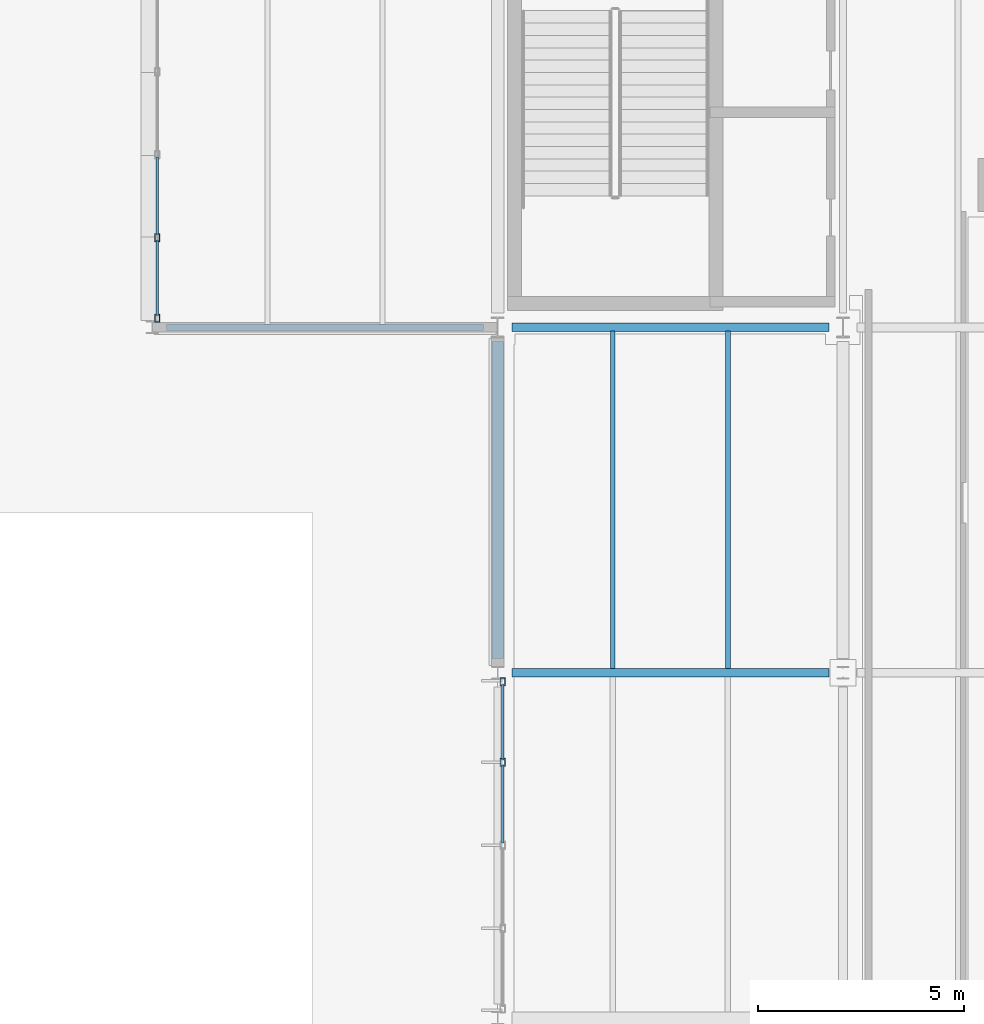
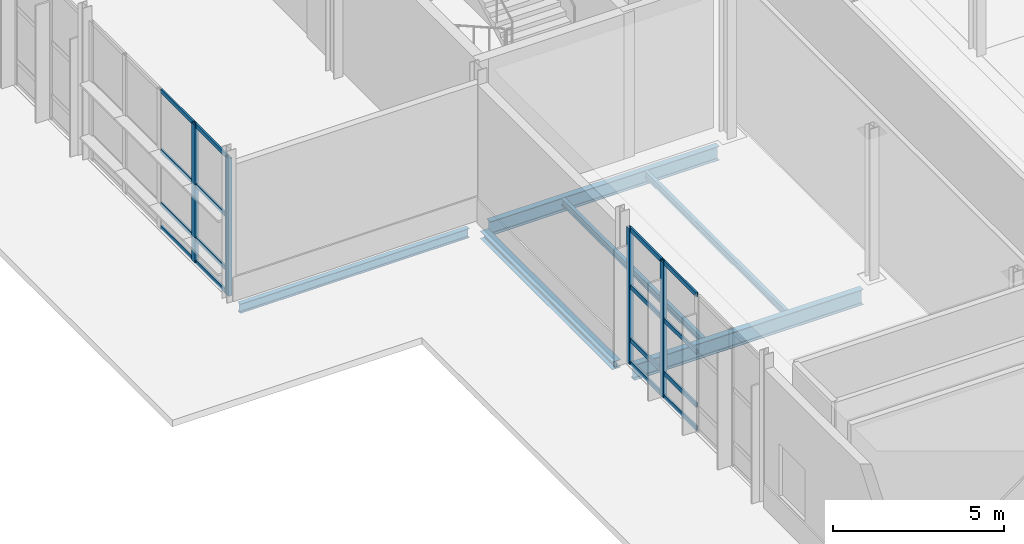
# One storey, part 32 of 124: 20 members, 6 beams, 2 elements without a shape of their own.
"""IFC4 building model written with IfcOpenShell, lengths in metres."""

from ifc_helpers import new_model, si_unit, direction, frame, origin, origin_2d, place, context, subcontext, project, spatial, hollow_rectangle, i_section, extrude, material, material_profile, profile_set, type_object, element, aggregate, save


model = new_model("IFC4")

# Units and contexts
model_context = context("Model", 3, precision=1e-05, world=origin(), true_north=direction((0.0, 1.0)))
body_context = subcontext(model_context, "Body", "Model", "MODEL_VIEW")
ifc_project = project(units=[si_unit("LENGTHUNIT", "METRE"), si_unit("AREAUNIT", "SQUARE_METRE"), si_unit("VOLUMEUNIT", "CUBIC_METRE"), si_unit("PLANEANGLEUNIT", "RADIAN"), si_unit("MASSUNIT", "GRAM", prefix="KILO")], contexts=[model_context])

# Site, building, storey
site_placement = place(None, origin())
site = spatial("IfcSite", under=ifc_project, at=site_placement, CompositionType="ELEMENT")
building_placement = place(site_placement, origin())
building = spatial("IfcBuilding", under=site, at=building_placement, Name="Mersafa Astral City Hall", CompositionType="ELEMENT")
storey_placement = place(building_placement, origin())
storey = spatial("IfcBuildingStorey", under=building, at=storey_placement, Name="L00", CompositionType="ELEMENT", Elevation=0.0)

# Curtain wall, members
ifc_material_1 = material(Name="Anodised bronze aluminium framing", Category="aluminium")
curtain_wall_type_1 = type_object("IfcCurtainWallType", Name="ENV-CW-2", PredefinedType="USERDEFINED", material=ifc_material_1)
curtain_wall_1_placement = place(storey_placement, origin())
curtain_wall_1 = element("IfcCurtainWall", 1, at=curtain_wall_1_placement, inside=storey, type_object=curtain_wall_type_1, Name="L00 Unitised solar curtain wall 37", ObjectType="UNITISED CURTAIN WALL", PredefinedType="USERDEFINED")
ifc_material_profile_1 = material_profile(ifc_material_1, hollow_rectangle(XDim=0.1201171875, YDim=0.199951171875, WallThickness=0.008056640625, at=origin_2d()), Name="RHS 120x200x8")
ifc_profile_set_1 = profile_set([ifc_material_profile_1], Name="Anodised bronze aluminium framing")
member_type_1 = type_object("IfcMemberType", Name="ENV-CW-MUL-2", PredefinedType="MULLION", material=ifc_profile_set_1)
member_1_placement = place(storey_placement, frame((0.1201171875, 77.781005859375, -0.001953125), z_axis=(0.0, 0.0, 1.0), x_axis=(1.0, 0.0, 0.0)))
member_1 = element("IfcMember", 2, at=member_1_placement, type_object=member_type_1, Name="CW-2 mullion 4", PredefinedType="MULLION", context=body_context, shape_type="SweptSolid", body=[
    extrude(hollow_rectangle(XDim=0.1201171875, YDim=0.199951171875, WallThickness=0.008056640625, at=origin_2d()), origin(), (0.0, 0.0, 1.0), 4.904052734375),
])
member_2_placement = place(storey_placement, frame((0.1201171875, 75.822021484375, -0.001953125), z_axis=(0.0, 0.0, 1.0), x_axis=(1.0, 0.0, 0.0)))
member_2 = element("IfcMember", 3, at=member_2_placement, type_object=member_type_1, Name="CW-2 mullion 5", PredefinedType="MULLION", context=body_context, shape_type="SweptSolid", body=[
    extrude(hollow_rectangle(XDim=0.1201171875, YDim=0.199951171875, WallThickness=0.008056640625, at=origin_2d()), origin(), (0.0, 0.0, 1.0), 4.904052734375),
])

curtain_wall_type_2 = type_object("IfcCurtainWallType", Name="ENV-CW-3", PredefinedType="USERDEFINED", material=ifc_material_1)
curtain_wall_2_placement = place(storey_placement, origin())
curtain_wall_2 = element("IfcCurtainWall", 4, at=curtain_wall_2_placement, inside=storey, type_object=curtain_wall_type_2, Name="L00 Unitised solar curtain wall 38", ObjectType="UNITISED CURTAIN WALL", PredefinedType="USERDEFINED")
member_3_placement = place(storey_placement, frame((8.52001953125, 66.97802734375, -0.001953125), z_axis=(0.0, 0.0, 1.0), x_axis=(1.0, 0.0, 0.0)))
member_3 = element("IfcMember", 5, at=member_3_placement, type_object=member_type_1, Name="CW-3 mullion 1", PredefinedType="MULLION", context=body_context, shape_type="SweptSolid", body=[
    extrude(hollow_rectangle(XDim=0.1201171875, YDim=0.199951171875, WallThickness=0.008056640625, at=origin_2d()), origin(), (0.0, 0.0, 1.0), 4.81396484375),
])
member_4_placement = place(storey_placement, frame((8.52001953125, 65.01904296875, -0.001953125), z_axis=(0.0, 0.0, 1.0), x_axis=(1.0, 0.0, 0.0)))
member_4 = element("IfcMember", 6, at=member_4_placement, type_object=member_type_1, Name="CW-3 mullion 2", PredefinedType="MULLION", context=body_context, shape_type="SweptSolid", body=[
    extrude(hollow_rectangle(XDim=0.1201171875, YDim=0.199951171875, WallThickness=0.008056640625, at=origin_2d()), origin(), (0.0, 0.0, 1.0), 4.81396484375),
])

# Member
ifc_material_profile_2 = material_profile(ifc_material_1, hollow_rectangle(XDim=0.06005859375, YDim=0.139892578125, WallThickness=0.00390625, at=origin_2d()), Name="RHS 60x140x4")
ifc_profile_set_2 = profile_set([ifc_material_profile_2], Name="Anodised bronze aluminium framing")
member_type_2 = type_object("IfcMemberType", Name="ENV-CW-TRN-1", PredefinedType="USERDEFINED", material=ifc_profile_set_2)
member_5_placement = place(storey_placement, frame((0.1201171875, 79.739990234375, 0.028076171875), z_axis=(0.0, -1.0, 0.0), x_axis=(1.0, 0.0, 0.0)))
member_5 = element("IfcMember", 7, at=member_5_placement, type_object=member_type_2, Name="CW-2 transom 3.1", ObjectType="TRANSOM", PredefinedType="USERDEFINED", context=body_context, shape_type="SweptSolid", body=[
    extrude(hollow_rectangle(XDim=0.06005859375, YDim=0.139892578125, WallThickness=0.00390625, at=origin_2d()), origin(), (0.0, 0.0, 1.0), 1.89892578125),
])

member_6_placement = place(storey_placement, frame((0.1201171875, 79.739990234375, 0.85009765625), z_axis=(0.0, -1.0, 0.0), x_axis=(1.0, 0.0, 0.0)))
member_6 = element("IfcMember", 8, at=member_6_placement, type_object=member_type_2, Name="CW-2 transom 3.2", ObjectType="TRANSOM", PredefinedType="USERDEFINED", context=body_context, shape_type="SweptSolid", body=[
    extrude(hollow_rectangle(XDim=0.06005859375, YDim=0.139892578125, WallThickness=0.00390625, at=origin_2d()), origin(), (0.0, 0.0, 1.0), 1.89892578125),
])

member_7_placement = place(storey_placement, frame((0.1201171875, 79.739990234375, 2.75), z_axis=(0.0, -1.0, 0.0), x_axis=(1.0, 0.0, 0.0)))
member_7 = element("IfcMember", 9, at=member_7_placement, type_object=member_type_2, Name="CW-2 transom 3.3", ObjectType="TRANSOM", PredefinedType="USERDEFINED", context=body_context, shape_type="SweptSolid", body=[
    extrude(hollow_rectangle(XDim=0.06005859375, YDim=0.139892578125, WallThickness=0.00390625, at=origin_2d()), origin(), (0.0, 0.0, 1.0), 1.89892578125),
])

member_8_placement = place(storey_placement, frame((0.1201171875, 79.739990234375, 4.8720703125), z_axis=(0.0, -1.0, 0.0), x_axis=(1.0, 0.0, 0.0)))
member_8 = element("IfcMember", 10, at=member_8_placement, type_object=member_type_2, Name="CW-2 transom 3.4", ObjectType="TRANSOM", PredefinedType="USERDEFINED", context=body_context, shape_type="SweptSolid", body=[
    extrude(hollow_rectangle(XDim=0.06005859375, YDim=0.139892578125, WallThickness=0.00390625, at=origin_2d()), origin(), (0.0, 0.0, 1.0), 1.89892578125),
])

member_9_placement = place(storey_placement, frame((0.1201171875, 77.720947265625, 0.028076171875), z_axis=(0.0, -1.0, 0.0), x_axis=(1.0, 0.0, 0.0)))
member_9 = element("IfcMember", 11, at=member_9_placement, type_object=member_type_2, Name="CW-2 transom 4.1", ObjectType="TRANSOM", PredefinedType="USERDEFINED", context=body_context, shape_type="SweptSolid", body=[
    extrude(hollow_rectangle(XDim=0.06005859375, YDim=0.139892578125, WallThickness=0.00390625, at=origin_2d()), origin(), (0.0, 0.0, 1.0), 1.8388671875),
])

member_10_placement = place(storey_placement, frame((0.1201171875, 77.720947265625, 0.85009765625), z_axis=(0.0, -1.0, 0.0), x_axis=(1.0, 0.0, 0.0)))
member_10 = element("IfcMember", 12, at=member_10_placement, type_object=member_type_2, Name="CW-2 transom 4.2", ObjectType="TRANSOM", PredefinedType="USERDEFINED", context=body_context, shape_type="SweptSolid", body=[
    extrude(hollow_rectangle(XDim=0.06005859375, YDim=0.139892578125, WallThickness=0.00390625, at=origin_2d()), origin(), (0.0, 0.0, 1.0), 1.8388671875),
])

member_11_placement = place(storey_placement, frame((0.1201171875, 77.720947265625, 2.75), z_axis=(0.0, -1.0, 0.0), x_axis=(1.0, 0.0, 0.0)))
member_11 = element("IfcMember", 13, at=member_11_placement, type_object=member_type_2, Name="CW-2 transom 4.3", ObjectType="TRANSOM", PredefinedType="USERDEFINED", context=body_context, shape_type="SweptSolid", body=[
    extrude(hollow_rectangle(XDim=0.06005859375, YDim=0.139892578125, WallThickness=0.00390625, at=origin_2d()), origin(), (0.0, 0.0, 1.0), 1.8388671875),
])

member_12_placement = place(storey_placement, frame((0.1201171875, 77.720947265625, 4.8720703125), z_axis=(0.0, -1.0, 0.0), x_axis=(1.0, 0.0, 0.0)))
member_12 = element("IfcMember", 14, at=member_12_placement, type_object=member_type_2, Name="CW-2 transom 4.4", ObjectType="TRANSOM", PredefinedType="USERDEFINED", context=body_context, shape_type="SweptSolid", body=[
    extrude(hollow_rectangle(XDim=0.06005859375, YDim=0.139892578125, WallThickness=0.00390625, at=origin_2d()), origin(), (0.0, 0.0, 1.0), 1.8388671875),
])

aggregate(curtain_wall_1, [member_1, member_2, member_5, member_6, member_7, member_8, member_9, member_10, member_11, member_12])

ifc_material_profile_3 = material_profile(ifc_material_1, hollow_rectangle(XDim=0.06005859375, YDim=0.159912109375, WallThickness=0.00390625, at=origin_2d()), Name="RHS 60x160x4")
ifc_profile_set_3 = profile_set([ifc_material_profile_3], Name="Anodised bronze aluminium framing")
member_type_3 = type_object("IfcMemberType", Name="ENV-CW-TRN-2", PredefinedType="USERDEFINED", material=ifc_profile_set_3)
member_13_placement = place(storey_placement, frame((8.52001953125, 66.91796875, 0.028076171875), z_axis=(0.0, -1.0, 0.0), x_axis=(1.0, 0.0, 0.0)))
member_13 = element("IfcMember", 15, at=member_13_placement, type_object=member_type_3, Name="CW-3 transom 1.1", ObjectType="TRANSOM", PredefinedType="USERDEFINED", context=body_context, shape_type="SweptSolid", body=[
    extrude(hollow_rectangle(XDim=0.06005859375, YDim=0.159912109375, WallThickness=0.00390625, at=origin_2d()), origin(), (0.0, 0.0, 1.0), 1.8388671875),
])

member_14_placement = place(storey_placement, frame((8.52001953125, 66.91796875, 0.85009765625), z_axis=(0.0, -1.0, 0.0), x_axis=(1.0, 0.0, 0.0)))
member_14 = element("IfcMember", 16, at=member_14_placement, type_object=member_type_3, Name="CW-3 transom 1.2", ObjectType="TRANSOM", PredefinedType="USERDEFINED", context=body_context, shape_type="SweptSolid", body=[
    extrude(hollow_rectangle(XDim=0.06005859375, YDim=0.159912109375, WallThickness=0.00390625, at=origin_2d()), origin(), (0.0, 0.0, 1.0), 1.8388671875),
])

member_15_placement = place(storey_placement, frame((8.52001953125, 66.91796875, 2.75), z_axis=(0.0, -1.0, 0.0), x_axis=(1.0, 0.0, 0.0)))
member_15 = element("IfcMember", 17, at=member_15_placement, type_object=member_type_3, Name="CW-3 transom 1.3", ObjectType="TRANSOM", PredefinedType="USERDEFINED", context=body_context, shape_type="SweptSolid", body=[
    extrude(hollow_rectangle(XDim=0.06005859375, YDim=0.159912109375, WallThickness=0.00390625, at=origin_2d()), origin(), (0.0, 0.0, 1.0), 1.8388671875),
])

member_16_placement = place(storey_placement, frame((8.52001953125, 66.91796875, 4.781982421875), z_axis=(0.0, -1.0, 0.0), x_axis=(1.0, 0.0, 0.0)))
member_16 = element("IfcMember", 18, at=member_16_placement, type_object=member_type_3, Name="CW-3 transom 1.4", ObjectType="TRANSOM", PredefinedType="USERDEFINED", context=body_context, shape_type="SweptSolid", body=[
    extrude(hollow_rectangle(XDim=0.06005859375, YDim=0.159912109375, WallThickness=0.00390625, at=origin_2d()), origin(), (0.0, 0.0, 1.0), 1.8388671875),
])

member_17_placement = place(storey_placement, frame((8.52001953125, 64.958984375, 0.028076171875), z_axis=(0.0, -1.0, 0.0), x_axis=(1.0, 0.0, 0.0)))
member_17 = element("IfcMember", 19, at=member_17_placement, type_object=member_type_3, Name="CW-3 transom 2.1", ObjectType="TRANSOM", PredefinedType="USERDEFINED", context=body_context, shape_type="SweptSolid", body=[
    extrude(hollow_rectangle(XDim=0.06005859375, YDim=0.159912109375, WallThickness=0.00390625, at=origin_2d()), origin(), (0.0, 0.0, 1.0), 1.89892578125),
])

member_18_placement = place(storey_placement, frame((8.52001953125, 64.958984375, 0.85009765625), z_axis=(0.0, -1.0, 0.0), x_axis=(1.0, 0.0, 0.0)))
member_18 = element("IfcMember", 20, at=member_18_placement, type_object=member_type_3, Name="CW-3 transom 2.2", ObjectType="TRANSOM", PredefinedType="USERDEFINED", context=body_context, shape_type="SweptSolid", body=[
    extrude(hollow_rectangle(XDim=0.06005859375, YDim=0.159912109375, WallThickness=0.00390625, at=origin_2d()), origin(), (0.0, 0.0, 1.0), 1.89892578125),
])

member_19_placement = place(storey_placement, frame((8.52001953125, 64.958984375, 2.75), z_axis=(0.0, -1.0, 0.0), x_axis=(1.0, 0.0, 0.0)))
member_19 = element("IfcMember", 21, at=member_19_placement, type_object=member_type_3, Name="CW-3 transom 2.3", ObjectType="TRANSOM", PredefinedType="USERDEFINED", context=body_context, shape_type="SweptSolid", body=[
    extrude(hollow_rectangle(XDim=0.06005859375, YDim=0.159912109375, WallThickness=0.00390625, at=origin_2d()), origin(), (0.0, 0.0, 1.0), 1.89892578125),
])

member_20_placement = place(storey_placement, frame((8.52001953125, 64.958984375, 4.781982421875), z_axis=(0.0, -1.0, 0.0), x_axis=(1.0, 0.0, 0.0)))
member_20 = element("IfcMember", 22, at=member_20_placement, type_object=member_type_3, Name="CW-3 transom 2.4", ObjectType="TRANSOM", PredefinedType="USERDEFINED", context=body_context, shape_type="SweptSolid", body=[
    extrude(hollow_rectangle(XDim=0.06005859375, YDim=0.159912109375, WallThickness=0.00390625, at=origin_2d()), origin(), (0.0, 0.0, 1.0), 1.89892578125),
])

aggregate(curtain_wall_2, [member_3, member_4, member_13, member_14, member_15, member_16, member_17, member_18, member_19, member_20])

# Beams
ifc_material_2 = material(Name="Steel S355", Category="steel")
ifc_material_profile_4 = material_profile(ifc_material_2, i_section(OverallWidth=0.199951171875, OverallDepth=0.5, WebThickness=0.01025390625, FlangeThickness=0.01611328125, FilletRadius=0.02099609375, at=origin_2d()), Name="IPE 500")
ifc_profile_set_4 = profile_set([ifc_material_profile_4], Name="Steel S355")
beam_type_1 = type_object("IfcBeamType", Name="STR-BM-IPE500", PredefinedType="BEAM", material=ifc_profile_set_4)
beam_1_placement = place(storey_placement, frame((8.7451171875, 75.60009765625, -0.5), z_axis=(1.0, 0.0, 0.0), x_axis=(0.0, 1.0, 0.0)))
element("IfcBeam", 23, at=beam_1_placement, inside=storey, type_object=beam_type_1, Name="L00 Primary girder X 1-9", PredefinedType="BEAM", context=body_context, shape_type="SweptSolid", body=[
    extrude(i_section(OverallWidth=0.199951171875, OverallDepth=0.5, WebThickness=0.01025390625, FlangeThickness=0.01611328125, FilletRadius=0.02099609375, at=origin_2d()), origin(), (0.0, 0.0, 1.0), 7.7099609375),
])
ifc_material_profile_5 = material_profile(ifc_material_2, i_section(OverallWidth=0.2099609375, OverallDepth=0.550048828125, WebThickness=0.010986328125, FlangeThickness=0.01708984375, FilletRadius=0.02392578125, at=origin_2d()), Name="IPE 550")
ifc_profile_set_5 = profile_set([ifc_material_profile_5], Name="Steel S355")
beam_type_2 = type_object("IfcBeamType", Name="STR-BM-IPE550", PredefinedType="BEAM", material=ifc_profile_set_5)
beam_2_placement = place(storey_placement, frame((8.7451171875, 67.199951171875, -0.52490234375), z_axis=(1.0, 0.0, 0.0), x_axis=(0.0, 1.0, 0.0)))
element("IfcBeam", 24, at=beam_2_placement, inside=storey, type_object=beam_type_2, Name="L00 Primary girder X 1-8", PredefinedType="BEAM", context=body_context, shape_type="SweptSolid", body=[
    extrude(i_section(OverallWidth=0.2099609375, OverallDepth=0.550048828125, WebThickness=0.010986328125, FlangeThickness=0.01708984375, FilletRadius=0.02392578125, at=origin_2d()), origin(), (0.0, 0.0, 1.0), 7.7099609375),
])
ifc_material_profile_6 = material_profile(ifc_material_2, i_section(OverallWidth=0.1201171875, OverallDepth=0.239990234375, WebThickness=0.006103515625, FlangeThickness=0.009765625, FilletRadius=0.014892578125, at=origin_2d()), Name="IPE 240")
ifc_profile_set_6 = profile_set([ifc_material_profile_6], Name="Steel S355")
beam_type_3 = type_object("IfcBeamType", Name="STR-BM-JOIST-IPE240", PredefinedType="JOIST", material=ifc_profile_set_6)
for number, where, z_axis, x_axis, name in (
    (25, (11.199951171875, 67.300048828125, -0.3701171875), (0.0, 1.0, 0.0), (-1.0, 0.0, 0.0), "L00 Composite secondary floor joist 9"),
    (26, (14.0, 67.300048828125, -0.3701171875), (0.0, 1.0, 0.0), (-1.0, 0.0, 0.0), "L00 Composite secondary floor joist 10"),
):
    element("IfcBeam", number, at=place(storey_placement, frame(where, z_axis=z_axis, x_axis=x_axis)), inside=storey, type_object=beam_type_3, Name=name, PredefinedType="JOIST", context=body_context, shape_type="SweptSolid", body=[
        extrude(i_section(OverallWidth=0.1201171875, OverallDepth=0.239990234375, WebThickness=0.006103515625, FlangeThickness=0.009765625, FilletRadius=0.014892578125, at=origin_2d()), origin(), (0.0, 0.0, 1.0), 8.204833984375),
    ])
ifc_material_profile_7 = material_profile(ifc_material_2, i_section(OverallWidth=0.280029296875, OverallDepth=0.27001953125, WebThickness=0.008056640625, FlangeThickness=0.012939453125, FilletRadius=0.02392578125, at=origin_2d()), Name="HEA 280")
ifc_profile_set_7 = profile_set([ifc_material_profile_7], Name="Steel S355")
beam_type_4 = type_object("IfcBeamType", Name="STR-BM-SPANDREL-HEA280", PredefinedType="SPANDREL", material=ifc_profile_set_7)
beam_3_placement = place(storey_placement, frame((8.39990234375, 67.544921875, -0.385009765625), z_axis=(0.0, 1.0, 0.0), x_axis=(-1.0, 0.0, 0.0)))
element("IfcBeam", 27, at=beam_3_placement, inside=storey, type_object=beam_type_4, Name="L00 Primary girder Y 1-8", PredefinedType="SPANDREL", context=body_context, shape_type="SweptSolid", body=[
    extrude(i_section(OverallWidth=0.280029296875, OverallDepth=0.27001953125, WebThickness=0.008056640625, FlangeThickness=0.012939453125, FilletRadius=0.02392578125, at=origin_2d()), origin(), (0.0, 0.0, 1.0), 7.7099609375),
])
ifc_material_profile_8 = material_profile(ifc_material_2, i_section(OverallWidth=0.159912109375, OverallDepth=0.330078125, WebThickness=0.007568359375, FlangeThickness=0.011474609375, FilletRadius=0.01806640625, at=origin_2d()), Name="IPE 330")
ifc_profile_set_8 = profile_set([ifc_material_profile_8], Name="Steel S355")
beam_type_5 = type_object("IfcBeamType", Name="STR-BM-SPANDREL-IPE330", PredefinedType="SPANDREL", material=ifc_profile_set_8)
beam_4_placement = place(storey_placement, frame((0.344970703125, 75.60009765625, -0.4150390625), z_axis=(1.0, 0.0, 0.0), x_axis=(0.0, 1.0, 0.0)))
element("IfcBeam", 28, at=beam_4_placement, inside=storey, type_object=beam_type_5, Name="L00 Primary girder X 0-9", PredefinedType="SPANDREL", context=body_context, shape_type="SweptSolid", body=[
    extrude(i_section(OverallWidth=0.159912109375, OverallDepth=0.330078125, WebThickness=0.007568359375, FlangeThickness=0.011474609375, FilletRadius=0.01806640625, at=origin_2d()), origin(), (0.0, 0.0, 1.0), 7.7099609375),
])

save(model, "model.ifc")
